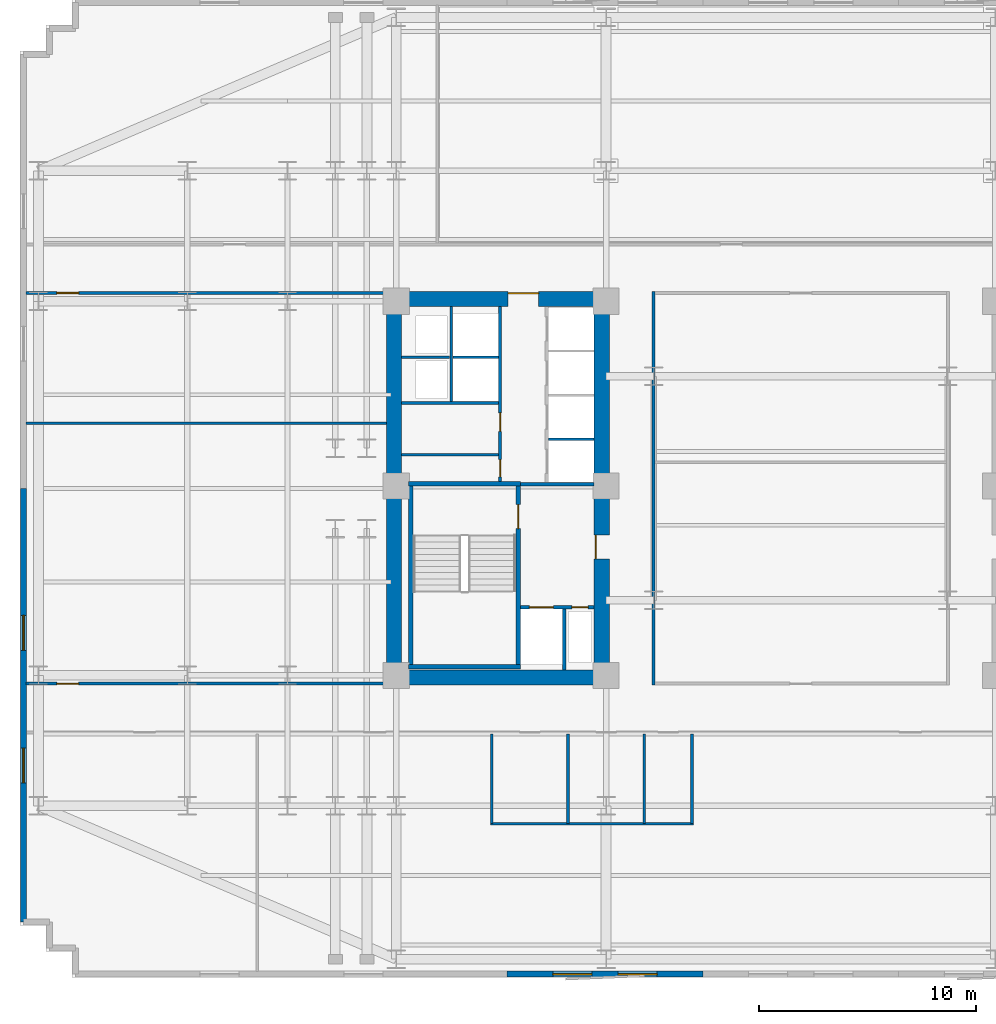
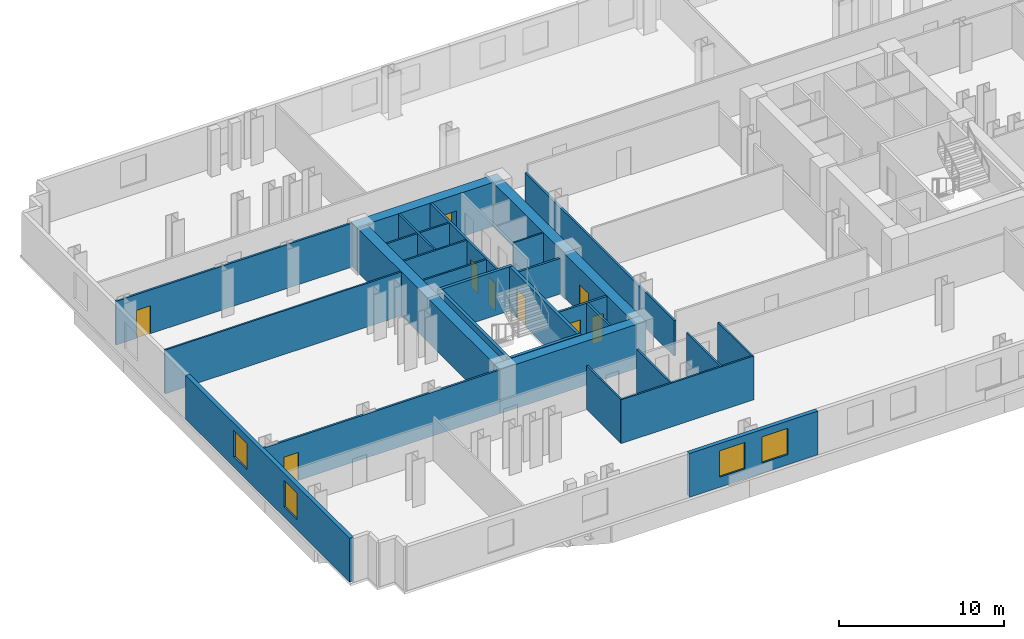
# One storey, part 4 of 10: 29 walls, 9 doors, 4 windows, 13 openings.
"""IFC4 building model written with IfcOpenShell, lengths in metres."""

import ifcopenshell
import ifcopenshell.guid

model = None  # the IFC model being written
_history = None  # IfcOwnerHistory: only IFC2X3 demands one
_inside = {}  # id of a spatial element -> (the spatial element, [elements in it])
_under = {}  # id of a project, library or spatial element -> (it, [spatial elements below it])
_declared = {}  # id of a project -> (the project, [libraries it declares])
_typed = {}  # id of a type object -> (the type object, [elements of that type])
_made_of = {}  # id of a material, layer set ... -> (it, [elements and type objects made of it])


def new_model(schema):
    """Start an empty IFC model of exactly this schema.

    Asked for "IFC4X3", IfcOpenShell would pick the latest addendum, in which some entities
    have other attributes; the version numbers below select the first issue.
    IFC2X3 requires an IfcOwnerHistory on every rooted entity: one is made here for all.
    """
    global model, _history
    if schema == "IFC4X3":
        model = ifcopenshell.file(schema_version=(4, 3, 0, 0))
    else:
        model = ifcopenshell.file(schema=schema)
    _inside.clear()
    _under.clear()
    _declared.clear()
    _typed.clear()
    _made_of.clear()
    _history = None
    if model.schema == "IFC2X3":
        org = make("IfcOrganization", Name="unknown")
        user = make(
            "IfcPersonAndOrganization",
            ThePerson=make("IfcPerson", FamilyName="unknown"),
            TheOrganization=org,
        )
        app = make(
            "IfcApplication",
            ApplicationDeveloper=org,
            Version="unknown",
            ApplicationFullName="unknown",
            ApplicationIdentifier="unknown",
        )
        _history = make(
            "IfcOwnerHistory",
            OwningUser=user,
            OwningApplication=app,
            ChangeAction="ADDED",
            CreationDate=0,
        )
    return model


def make(cls, **values):
    """One entity of the class cls with the attributes given. An attribute that is None is left unset."""
    return model.create_entity(
        cls, **{name: value for name, value in values.items() if value is not None}
    )


def rooted(cls, **values):
    """An entity with a GlobalId (a new one), such as an element, a storey or a relation."""
    return make(cls, GlobalId=ifcopenshell.guid.new(), OwnerHistory=_history, **values)


def si_unit(unit_type, name, prefix=None):
    """IfcSIUnit, for example si_unit("LENGTHUNIT", "METRE", prefix="MILLI")."""
    return make("IfcSIUnit", UnitType=unit_type, Prefix=prefix, Name=name)


def assignment(units):
    """IfcUnitAssignment: the units of a project."""
    return None if units is None else make("IfcUnitAssignment", Units=units)


def point(xyz):
    """IfcCartesianPoint."""
    return None if xyz is None else make("IfcCartesianPoint", Coordinates=xyz)


def direction(xyz):
    """IfcDirection."""
    return None if xyz is None else make("IfcDirection", DirectionRatios=xyz)


def frame(location, z_axis=None, x_axis=None):
    """IfcAxis2Placement3D, a coordinate frame: its origin and axes. An axis left out is left unset."""
    return make(
        "IfcAxis2Placement3D",
        Location=point(location),
        Axis=direction(z_axis),
        RefDirection=direction(x_axis),
    )


def frame_2d(location, x_axis=None):
    """IfcAxis2Placement2D, a coordinate frame in the plane: its origin and x axis."""
    return make(
        "IfcAxis2Placement2D", Location=point(location), RefDirection=direction(x_axis)
    )


def origin():
    """The frame at (0, 0, 0) with its axes left unset."""
    return frame((0.0, 0.0, 0.0))


def place(relative_to, where):
    """IfcLocalPlacement: puts the frame where relative to a parent placement (None: the world)."""
    return make(
        "IfcLocalPlacement", PlacementRelTo=relative_to, RelativePlacement=where
    )


def context(
    kind, dimensions, precision=None, world=None, true_north=None, identifier=None
):
    """IfcGeometricRepresentationContext, for example the 3D "Model" context."""
    return make(
        "IfcGeometricRepresentationContext",
        ContextIdentifier=identifier,
        ContextType=kind,
        CoordinateSpaceDimension=dimensions,
        Precision=precision,
        WorldCoordinateSystem=world,
        TrueNorth=true_north,
    )


def subcontext(parent, identifier, kind, view, scale=None):
    """IfcGeometricRepresentationSubContext, for example "Body" below "Model"."""
    return make(
        "IfcGeometricRepresentationSubContext",
        ContextIdentifier=identifier,
        ContextType=kind,
        ParentContext=parent,
        TargetScale=scale,
        TargetView=view,
    )


def project(units=None, contexts=None):
    """IfcProject with its units and contexts."""
    return rooted(
        "IfcProject",
        Name="project",
        RepresentationContexts=contexts,
        UnitsInContext=assignment(units),
    )


def spatial(cls, under=None, at=None, **own):
    """A site, building, storey or space (cls), placed at a placement, below another one or the project."""
    s = rooted(cls, ObjectPlacement=at, **own)
    if under is not None:
        _under.setdefault(under.id(), (under, []))[1].append(s)
    return s


def profile(cls, at=None, kind="AREA", **sizes):
    """A parametric profile (cls). Its sizes go by their IFC names, for example OverallWidth=200.0."""
    return make(cls, ProfileType=kind, Position=at, **sizes)


def rectangle(**sizes):
    """IfcRectangleProfileDef."""
    return profile("IfcRectangleProfileDef", **sizes)


def extrude(swept, where, along, depth):
    """IfcExtrudedAreaSolid: the profile swept, set in the frame where, extruded along a direction by depth."""
    return make(
        "IfcExtrudedAreaSolid",
        SweptArea=swept,
        Position=where,
        ExtrudedDirection=direction(along),
        Depth=depth,
    )


def shape(context_of_items, identifier, shape_type, items):
    """IfcShapeRepresentation: the items that make up one representation, for example the "Body"."""
    return make(
        "IfcShapeRepresentation",
        ContextOfItems=context_of_items,
        RepresentationIdentifier=identifier,
        RepresentationType=shape_type,
        Items=items,
    )


def material(Name=None, Category=None):
    """IfcMaterial."""
    return make("IfcMaterial", Name=Name, Category=Category)


def layer(
    of_material, thickness, ventilated=None, Name=None, Category=None, Priority=None
):
    """IfcMaterialLayer: one layer of a wall or slab, of a material (None: an air gap)."""
    return make(
        "IfcMaterialLayer",
        Material=of_material,
        LayerThickness=thickness,
        IsVentilated=ventilated,
        Name=Name,
        Category=Category,
        Priority=Priority,
    )


def layer_set(layers, Name=None):
    """IfcMaterialLayerSet."""
    return make("IfcMaterialLayerSet", MaterialLayers=layers, LayerSetName=Name)


def made_of(thing, what):
    """Note that an element or type object is made of a material, layer set ...; save() writes the relation."""
    if what is not None:
        _made_of.setdefault(what.id(), (what, []))[1].append(thing)
    return thing


def type_object(cls, material=None, **own):
    """A type object (cls), such as IfcWallType, which elements share."""
    return made_of(rooted(cls, **own), material)


def element(
    cls,
    number,
    at=None,
    inside=None,
    cuts=None,
    type_object=None,
    material=None,
    context=None,
    identifier="Body",
    shape_type=None,
    held_by="IfcProductDefinitionShape",
    body=None,
    shapes=None,
    **own,
):
    """One element of the class cls, such as IfcWall. Its Tag is "e" and its number.

    at: its placement. inside: the storey or other place that contains it. cuts: it is an
    opening in that element (IfcRelVoidsElement). A single representation is given by context,
    identifier, shape_type and body (its items); several are given by shapes. held_by: the class
    of the entity that holds the representations. save() writes the other relations.
    """
    e = rooted(cls, Tag="e%d" % number, ObjectPlacement=at, **own)
    if body is not None:
        shapes = [shape(context, identifier, shape_type, body)]
    if shapes is not None:
        e.Representation = make(held_by, Representations=shapes)
    if inside is not None:
        _inside.setdefault(inside.id(), (inside, []))[1].append(e)
    if cuts is not None:
        rooted(
            "IfcRelVoidsElement", RelatingBuildingElement=cuts, RelatedOpeningElement=e
        )
    if type_object is not None:
        _typed.setdefault(type_object.id(), (type_object, []))[1].append(e)
    return made_of(e, material)


def fill(opening, filler):
    """IfcRelFillsElement: the door or window that sits in an opening."""
    return rooted(
        "IfcRelFillsElement",
        RelatingOpeningElement=opening,
        RelatedBuildingElement=filler,
    )


def aggregate(whole, parts):
    """IfcRelAggregates: a whole, such as a stair, and the parts it consists of."""
    return rooted("IfcRelAggregates", RelatingObject=whole, RelatedObjects=parts)


def save(model, path):
    """Write the relations noted so far, then the file.

    IfcRelAggregates (storeys below a building ...), IfcRelContainedInSpatialStructure (elements
    in a storey), IfcRelDefinesByType, IfcRelAssociatesMaterial and IfcRelDeclares: one each for
    every whole, place, type object, material and project.
    """
    for whole, parts in _under.values():
        aggregate(whole, parts)
    for where, things in _inside.values():
        rooted(
            "IfcRelContainedInSpatialStructure",
            RelatedElements=things,
            RelatingStructure=where,
        )
    for kind, things in _typed.values():
        rooted("IfcRelDefinesByType", RelatedObjects=things, RelatingType=kind)
    for what, things in _made_of.values():
        rooted("IfcRelAssociatesMaterial", RelatedObjects=things, RelatingMaterial=what)
    for by, libraries in _declared.values():
        rooted("IfcRelDeclares", RelatingContext=by, RelatedDefinitions=libraries)
    model.write(path)


model = new_model("IFC4")

# Units and contexts
model_context = context("Model", 3, precision=1e-05, world=origin(), true_north=direction((0.0, 1.0)))
body_context = subcontext(model_context, "Body", "Model", "MODEL_VIEW")
ifc_project = project(units=[si_unit("LENGTHUNIT", "METRE"), si_unit("AREAUNIT", "SQUARE_METRE"), si_unit("VOLUMEUNIT", "CUBIC_METRE"), si_unit("PLANEANGLEUNIT", "RADIAN"), si_unit("MASSUNIT", "GRAM", prefix="KILO")], contexts=[model_context])

# Site, building, storey
site_placement = place(None, origin())
site = spatial("IfcSite", under=ifc_project, at=site_placement, CompositionType="ELEMENT")
building_placement = place(site_placement, origin())
building = spatial("IfcBuilding", under=site, at=building_placement, Name="Velakula Bourse", CompositionType="ELEMENT")
storey_placement = place(building_placement, frame((0.0, 0.0, 31.199951171875)))
storey = spatial("IfcBuildingStorey", under=building, at=storey_placement, Name="L07", CompositionType="ELEMENT", Elevation=31.199951171875)

# Wall, opening, door
ifc_material_1 = material(Name="Concrete M50 (fck 50 MPa)", Category="concrete")
ifc_layer_1 = layer(ifc_material_1, 0.2099609375, Name="Concrete M50 (fck 50 MPa)", Category="concrete")
ifc_layer_set_1 = layer_set([ifc_layer_1], Name="Concrete M50 (fck 50 MPa)")
wall_type_1 = type_object("IfcWallType", Name="WL-CORE-210", PredefinedType="SHEAR", material=ifc_layer_set_1)
wall_1_placement = place(storey_placement, frame((-12.9951171875, -8.10009765625, 0.0), z_axis=(0.0, 0.0, 1.0), x_axis=(0.0, 1.0, 0.0)))
wall_1 = element("IfcWall", 1, at=wall_1_placement, inside=storey, type_object=wall_type_1, Name="L07 Core W Stairwell Shear Wall IN", PredefinedType="SHEAR", context=body_context, shape_type="SweptSolid", body=[
    extrude(rectangle(XDim=8.2001953125, YDim=0.2099609375, at=frame_2d((4.10009765625, 0.0))), origin(), (0.0, 0.0, 1.0), 3.27001953125),
])
opening_1_placement = place(wall_1_placement, frame((6.25, 0.0, 0.0)))
opening_1 = element("IfcOpeningElement", 2, at=opening_1_placement, cuts=wall_1, Name="Opening D-STW1", PredefinedType="OPENING", context=body_context, shape_type="SweptSolid", body=[
    extrude(rectangle(XDim=1.10009765625, YDim=2.14990234375, at=frame_2d((0.550048828125, 1.074951171875))), frame((0.0, 0.114990234375, 0.0), z_axis=(0.0, -1.0, 0.0), x_axis=(1.0, 0.0, 0.0)), (0.0, 0.0, 1.0), 0.22998046875),
])
ifc_material_2 = material(Name="Galvanised painted hollow steel fire door", Category="steel")
door_type_1 = type_object("IfcDoorType", Name="DR-FD120-1100x2150", OperationType="NOTDEFINED", PredefinedType="DOOR", material=ifc_material_2)
door_1_placement = place(opening_1_placement, origin())
door_1 = element("IfcDoor", 3, at=door_1_placement, inside=storey, type_object=door_type_1, Name="L07 Stair ST-W1 Fire Door", OperationType="SINGLE_SWING_LEFT", OverallHeight=2.14990234375, OverallWidth=1.10009765625, PredefinedType="DOOR", context=body_context, shape_type="SweptSolid", body=[
    extrude(rectangle(XDim=1.10009765625, YDim=2.14990234375, at=frame_2d((0.550048828125, 1.074951171875))), frame((0.0, 0.02490234375, 0.0), z_axis=(0.0, -1.0, 0.0), x_axis=(1.0, 0.0, 0.0)), (0.0, 0.0, 1.0), 0.050048828125),
])
fill(opening_1, door_1)

# Walls
wall_2_placement = place(storey_placement, frame((-17.925048828125, -8.10009765625, 0.0), z_axis=(0.0, 0.0, 1.0), x_axis=(0.0, 1.0, 0.0)))
element("IfcWall", 4, at=wall_2_placement, inside=storey, type_object=wall_type_1, Name="L07 Core W Stairwell Shear Wall OUT", PredefinedType="SHEAR", context=body_context, shape_type="SweptSolid", body=[
    extrude(rectangle(XDim=8.2001953125, YDim=0.2099609375, at=frame_2d((4.10009765625, 0.0))), origin(), (0.0, 0.0, 1.0), 3.27001953125),
])
for number, where, z_axis, x_axis, name in (
    (5, (-18.030029296875, -8.205078125, 0.0), (0.0, 0.0, 1.0), (1.0, 0.0, 0.0), "L07 Core W Stairwell Shear Wall S"),
    (6, (-12.889892578125, 0.205078125, 0.0), (0.0, 0.0, 1.0), (-1.0, 0.0, 0.0), "L07 Core W Stairwell Shear Wall N"),
):
    element("IfcWall", number, at=place(storey_placement, frame(where, z_axis=z_axis, x_axis=x_axis)), inside=storey, type_object=wall_type_1, Name=name, PredefinedType="SHEAR", context=body_context, shape_type="SweptSolid", body=[
        extrude(rectangle(XDim=5.14013671875, YDim=0.2099609375, at=frame_2d((2.570068359375, 0.0))), origin(), (0.0, 0.0, 1.0), 3.27001953125),
    ])
ifc_material_3 = material(Name="Concrete M70 (fck 70 MPa)", Category="concrete")
ifc_layer_2 = layer(ifc_material_3, 0.699951171875, Name="Concrete M70 (fck 70 MPa)", Category="concrete")
ifc_layer_set_2 = layer_set([ifc_layer_2], Name="Concrete M70 (fck 70 MPa)")
wall_type_2 = type_object("IfcWallType", Name="WL-CORE-700", PredefinedType="SHEAR", material=ifc_layer_set_2)
wall_3_placement = place(storey_placement, frame((-19.050048828125, -8.699951171875, 0.0), z_axis=(0.0, 0.0, 1.0), x_axis=(1.0, 0.0, 0.0)))
element("IfcWall", 7, at=wall_3_placement, inside=storey, type_object=wall_type_2, Name="L07 Core W Shear Wall S", PredefinedType="SHEAR", context=body_context, shape_type="SweptSolid", body=[
    extrude(rectangle(XDim=10.25, YDim=0.699951171875, at=frame_2d((5.125, 0.0))), origin(), (0.0, 0.0, 1.0), 3.27001953125),
])

# Wall, opening, door
wall_4_placement = place(storey_placement, frame((-19.050048828125, 8.699951171875, 0.0), z_axis=(0.0, 0.0, 1.0), x_axis=(1.0, 0.0, 0.0)))
wall_4 = element("IfcWall", 8, at=wall_4_placement, inside=storey, type_object=wall_type_2, Name="L07 Core W Shear Wall N", PredefinedType="SHEAR", context=body_context, shape_type="SweptSolid", body=[
    extrude(rectangle(XDim=10.25, YDim=0.699951171875, at=frame_2d((5.125, 0.0))), origin(), (0.0, 0.0, 1.0), 3.27001953125),
])
opening_2_placement = place(wall_4_placement, frame((5.60009765625, 0.0, 0.0)))
opening_2 = element("IfcOpeningElement", 9, at=opening_2_placement, cuts=wall_4, Name="Opening D-LLW", PredefinedType="OPENING", context=body_context, shape_type="SweptSolid", body=[
    extrude(rectangle(XDim=1.39990234375, YDim=2.050048828125, at=frame_2d((0.699951171875, 1.02490234375))), frame((0.0, 0.35986328125, 0.0), z_axis=(0.0, -1.0, 0.0), x_axis=(1.0, 0.0, 0.0)), (0.0, 0.0, 1.0), 0.719970703125),
])
ifc_material_4 = material(Name="Fire-rated hardwood flush architectural door", Category="wood")
door_type_2 = type_object("IfcDoorType", Name="DR-DBL-FD60-1400", OperationType="DOUBLE_DOOR_SINGLE_SWING", PredefinedType="DOOR", material=ifc_material_4)
door_2_placement = place(opening_2_placement, origin())
door_2 = element("IfcDoor", 10, at=door_2_placement, inside=storey, type_object=door_type_2, Name="L07 Core W Lift Lobby Corridor Double Door", OperationType="DOUBLE_DOOR_SINGLE_SWING", OverallHeight=2.050048828125, OverallWidth=1.39990234375, PredefinedType="DOOR", context=body_context, shape_type="SweptSolid", body=[
    extrude(rectangle(XDim=1.39990234375, YDim=2.050048828125, at=frame_2d((0.699951171875, 1.02490234375))), frame((0.0, 0.294921875, 0.0), z_axis=(0.0, -1.0, 0.0), x_axis=(1.0, 0.0, 0.0)), (0.0, 0.0, 1.0), 0.050048828125),
])
fill(opening_2, door_2)

# Wall
wall_5_placement = place(storey_placement, frame((-18.699951171875, -8.35009765625, 0.0), z_axis=(0.0, 0.0, 1.0), x_axis=(0.0, 1.0, 0.0)))
element("IfcWall", 11, at=wall_5_placement, inside=storey, type_object=wall_type_2, Name="L07 Core W Shear Wall W", PredefinedType="SHEAR", context=body_context, shape_type="SweptSolid", body=[
    extrude(rectangle(XDim=16.7001953125, YDim=0.699951171875, at=frame_2d((8.35009765625, 0.0))), origin(), (0.0, 0.0, 1.0), 3.27001953125),
])

# Wall, opening, door
wall_6_placement = place(storey_placement, frame((-9.14990234375, -8.35009765625, 0.0), z_axis=(0.0, 0.0, 1.0), x_axis=(0.0, 1.0, 0.0)))
wall_6 = element("IfcWall", 12, at=wall_6_placement, inside=storey, type_object=wall_type_2, Name="L07 Core W Shear Wall E", PredefinedType="SHEAR", context=body_context, shape_type="SweptSolid", body=[
    extrude(rectangle(XDim=16.7001953125, YDim=0.699951171875, at=frame_2d((8.35009765625, 0.0))), origin(), (0.0, 0.0, 1.0), 3.27001953125),
])
opening_3_placement = place(wall_6_placement, frame((5.10009765625, 0.0, 0.0)))
opening_3 = element("IfcOpeningElement", 13, at=opening_3_placement, cuts=wall_6, Name="Opening D-FLW", PredefinedType="OPENING", context=body_context, shape_type="SweptSolid", body=[
    extrude(rectangle(XDim=1.10009765625, YDim=2.080078125, at=frame_2d((0.550048828125, 1.0400390625))), frame((0.0, 0.35986328125, 0.0), z_axis=(0.0, -1.0, 0.0), x_axis=(1.0, 0.0, 0.0)), (0.0, 0.0, 1.0), 0.719970703125),
])
door_type_3 = type_object("IfcDoorType", Name="DR-FD120-1100", OperationType="NOTDEFINED", PredefinedType="DOOR", material=ifc_material_2)
door_3_placement = place(opening_3_placement, origin())
door_3 = element("IfcDoor", 14, at=door_3_placement, inside=storey, type_object=door_type_3, Name="L07 Firefighting Lobby W Corridor Fire Door", OperationType="SINGLE_SWING_LEFT", OverallHeight=2.080078125, OverallWidth=1.10009765625, PredefinedType="DOOR", context=body_context, shape_type="SweptSolid", body=[
    extrude(rectangle(XDim=1.10009765625, YDim=2.080078125, at=frame_2d((0.550048828125, 1.0400390625))), frame((0.0, 0.30517578125, 0.0), z_axis=(0.0, -1.0, 0.0), x_axis=(1.0, 0.0, 0.0)), (0.0, 0.0, 1.0), 0.050048828125),
])
fill(opening_3, door_3)

# Wall, openings, windows
ifc_material_5 = material(Name="Red kilned clay facing brick masonry", Category="masonry")
ifc_layer_3 = layer(ifc_material_5, 0.280029296875, Name="Red kilned clay facing brick masonry", Category="masonry")
ifc_layer_set_3 = layer_set([ifc_layer_3], Name="Red kilned clay facing brick masonry")
wall_type_3 = type_object("IfcWallType", Name="WL-EXT-BRK-280", PredefinedType="STANDARD", material=ifc_layer_set_3)
wall_7_placement = place(storey_placement, frame((-4.5, -22.340087890625, 0.0), z_axis=(0.0, 0.0, 1.0), x_axis=(-1.0, 0.0, 0.0)))
wall_7 = element("IfcWall", 15, at=wall_7_placement, inside=storey, type_object=wall_type_3, Name="L07 S Brick Spandrel Wall B2", PredefinedType="STANDARD", context=body_context, shape_type="SweptSolid", body=[
    extrude(rectangle(XDim=9.0, YDim=0.280029296875, at=frame_2d((4.5, 0.0))), origin(), (0.0, 0.0, 1.0), 3.25),
])
opening_4_placement = place(wall_7_placement, frame((2.10009765625, 0.0, 0.760009765625)))
opening_4 = element("IfcOpeningElement", 16, at=opening_4_placement, cuts=wall_7, Name="Opening W-01", PredefinedType="OPENING", context=body_context, shape_type="SweptSolid", body=[
    extrude(rectangle(XDim=1.800048828125, YDim=1.949951171875, at=frame_2d((0.89990234375, 0.97509765625))), frame((0.0, 0.14990234375, 0.0), z_axis=(0.0, -1.0, 0.0), x_axis=(1.0, 0.0, 0.0)), (0.0, 0.0, 1.0), 0.300048828125),
])
opening_5_placement = place(wall_7_placement, frame((5.10009765625, 0.0, 0.760009765625)))
opening_5 = element("IfcOpeningElement", 17, at=opening_5_placement, cuts=wall_7, Name="Opening W-01", PredefinedType="OPENING", context=body_context, shape_type="SweptSolid", body=[
    extrude(rectangle(XDim=1.800048828125, YDim=1.949951171875, at=frame_2d((0.89990234375, 0.97509765625))), frame((0.0, 0.14990234375, 0.0), z_axis=(0.0, -1.0, 0.0), x_axis=(1.0, 0.0, 0.0)), (0.0, 0.0, 1.0), 0.300048828125),
])
ifc_material_6 = material(Name="Double-glazed solar-control Low-E glass", Category="glass")
window_type_1 = type_object("IfcWindowType", Name="WIN-TWR-1800x2100", PartitioningType="SINGLE_PANEL", PredefinedType="WINDOW", material=ifc_material_6)
window_1_placement = place(opening_4_placement, origin())
window_1 = element("IfcWindow", 18, at=window_1_placement, inside=storey, type_object=window_type_1, Name="L07 Deep-Set Recessed Window 1", OverallHeight=1.949951171875, OverallWidth=1.800048828125, PartitioningType="SINGLE_PANEL", PredefinedType="WINDOW", context=body_context, shape_type="SweptSolid", body=[
    extrude(rectangle(XDim=1.800048828125, YDim=1.949951171875, at=frame_2d((0.89990234375, 0.97509765625))), frame((0.0, 0.030029296875, 0.0), z_axis=(0.0, -1.0, 0.0), x_axis=(1.0, 0.0, 0.0)), (0.0, 0.0, 1.0), 0.06005859375),
])
fill(opening_4, window_1)
window_2_placement = place(opening_5_placement, origin())
window_2 = element("IfcWindow", 19, at=window_2_placement, inside=storey, type_object=window_type_1, Name="L07 Deep-Set Recessed Window 2", OverallHeight=1.949951171875, OverallWidth=1.800048828125, PartitioningType="SINGLE_PANEL", PredefinedType="WINDOW", context=body_context, shape_type="SweptSolid", body=[
    extrude(rectangle(XDim=1.800048828125, YDim=1.949951171875, at=frame_2d((0.89990234375, 0.97509765625))), frame((0.0, 0.030029296875, 0.0), z_axis=(0.0, -1.0, 0.0), x_axis=(1.0, 0.0, 0.0)), (0.0, 0.0, 1.0), 0.06005859375),
])
fill(opening_5, window_2)

wall_8_placement = place(storey_placement, frame((-35.739990234375, -19.93994140625, 0.0), z_axis=(0.0, 0.0, 1.0), x_axis=(0.0, 1.0, 0.0)))
wall_8 = element("IfcWall", 20, at=wall_8_placement, inside=storey, type_object=wall_type_3, Name="L07 W Brick End Wall W1", PredefinedType="STANDARD", context=body_context, shape_type="SweptSolid", body=[
    extrude(rectangle(XDim=19.93994140625, YDim=0.280029296875, at=frame_2d((9.969970703125, 0.0))), origin(), (0.0, 0.0, 1.0), 3.25),
])
opening_6_placement = place(wall_8_placement, frame((6.396728515625, 0.0, 0.760009765625)))
opening_6 = element("IfcOpeningElement", 21, at=opening_6_placement, cuts=wall_8, Name="Opening W-02", PredefinedType="OPENING", context=body_context, shape_type="SweptSolid", body=[
    extrude(rectangle(XDim=1.60009765625, YDim=1.949951171875, at=frame_2d((0.800048828125, 0.97509765625))), frame((0.0, 0.14990234375, 0.0), z_axis=(0.0, -1.0, 0.0), x_axis=(1.0, 0.0, 0.0)), (0.0, 0.0, 1.0), 0.300048828125),
])
opening_7_placement = place(wall_8_placement, frame((12.493408203125, 0.0, 0.760009765625)))
opening_7 = element("IfcOpeningElement", 22, at=opening_7_placement, cuts=wall_8, Name="Opening W-02", PredefinedType="OPENING", context=body_context, shape_type="SweptSolid", body=[
    extrude(rectangle(XDim=1.60009765625, YDim=1.949951171875, at=frame_2d((0.800048828125, 0.97509765625))), frame((0.0, 0.14990234375, 0.0), z_axis=(0.0, -1.0, 0.0), x_axis=(1.0, 0.0, 0.0)), (0.0, 0.0, 1.0), 0.300048828125),
])
window_type_2 = type_object("IfcWindowType", Name="WIN-TWR-1600x2100", PartitioningType="SINGLE_PANEL", PredefinedType="WINDOW", material=ifc_material_6)
window_3_placement = place(opening_6_placement, origin())
window_3 = element("IfcWindow", 23, at=window_3_placement, inside=storey, type_object=window_type_2, Name="L07 Deep-Set Recessed Window 1", OverallHeight=1.949951171875, OverallWidth=1.60009765625, PartitioningType="SINGLE_PANEL", PredefinedType="WINDOW", context=body_context, shape_type="SweptSolid", body=[
    extrude(rectangle(XDim=1.60009765625, YDim=1.949951171875, at=frame_2d((0.800048828125, 0.97509765625))), frame((0.0, 0.030029296875, 0.0), z_axis=(0.0, -1.0, 0.0), x_axis=(1.0, 0.0, 0.0)), (0.0, 0.0, 1.0), 0.06005859375),
])
fill(opening_6, window_3)
window_4_placement = place(opening_7_placement, origin())
window_4 = element("IfcWindow", 24, at=window_4_placement, inside=storey, type_object=window_type_2, Name="L07 Deep-Set Recessed Window 2", OverallHeight=1.949951171875, OverallWidth=1.60009765625, PartitioningType="SINGLE_PANEL", PredefinedType="WINDOW", context=body_context, shape_type="SweptSolid", body=[
    extrude(rectangle(XDim=1.60009765625, YDim=1.949951171875, at=frame_2d((0.800048828125, 0.97509765625))), frame((0.0, 0.030029296875, 0.0), z_axis=(0.0, -1.0, 0.0), x_axis=(1.0, 0.0, 0.0)), (0.0, 0.0, 1.0), 0.06005859375),
])
fill(opening_7, window_4)

# Walls
ifc_material_7 = material(Name="Fire-rated double-layer gypsum drywall partition", Category="gypsum")
ifc_layer_4 = layer(ifc_material_7, 0.1201171875, Name="Fire-rated double-layer gypsum drywall partition", Category="gypsum")
ifc_layer_set_4 = layer_set([ifc_layer_4], Name="Fire-rated double-layer gypsum drywall partition")
wall_type_4 = type_object("IfcWallType", Name="WL-PART-120", PredefinedType="STANDARD", material=ifc_layer_set_4)
wall_9_placement = place(storey_placement, frame((-11.60009765625, 2.2548828125, 0.0), z_axis=(0.0, 0.0, 1.0), x_axis=(1.0, 0.0, 0.0)))
element("IfcWall", 25, at=wall_9_placement, inside=storey, type_object=wall_type_4, Name="L07 Interior Partition WL-CRW-L07-BDIV-0", PredefinedType="STANDARD", context=body_context, shape_type="SweptSolid", body=[
    extrude(rectangle(XDim=2.10009765625, YDim=0.110107421875, at=frame_2d((1.050048828125, 0.0))), origin(), (0.0, 0.0, 1.0), 3.25),
])
wall_10_placement = place(storey_placement, frame((-18.35009765625, 3.919921875, 0.0), z_axis=(0.0, 0.0, 1.0), x_axis=(1.0, 0.0, 0.0)))
element("IfcWall", 26, at=wall_10_placement, inside=storey, type_object=wall_type_4, Name="L07 Interior Partition WL-CRW-L07-HI-S", PredefinedType="STANDARD", context=body_context, shape_type="SweptSolid", body=[
    extrude(rectangle(XDim=4.4501953125, YDim=0.1201171875, at=frame_2d((2.22509765625, 0.0))), origin(), (0.0, 0.0, 1.0), 3.25),
])
wall_11_placement = place(storey_placement, frame((-18.35009765625, 6.030029296875, 0.0), z_axis=(0.0, 0.0, 1.0), x_axis=(1.0, 0.0, 0.0)))
element("IfcWall", 27, at=wall_11_placement, inside=storey, type_object=wall_type_4, Name="L07 Interior Partition WL-CRW-L07-RIS-MID", PredefinedType="STANDARD", context=body_context, shape_type="SweptSolid", body=[
    extrude(rectangle(XDim=2.2001953125, YDim=0.1201171875, at=frame_2d((1.10009765625, 0.0))), origin(), (0.0, 0.0, 1.0), 3.25),
])
wall_12_placement = place(storey_placement, frame((-16.074951171875, 3.97998046875, 0.0), z_axis=(0.0, 0.0, 1.0), x_axis=(0.0, 1.0, 0.0)))
element("IfcWall", 28, at=wall_12_placement, inside=storey, type_object=wall_type_4, Name="L07 Interior Partition WL-CRW-L07-RIS-F", PredefinedType="STANDARD", context=body_context, shape_type="SweptSolid", body=[
    extrude(rectangle(XDim=4.3701171875, YDim=0.1201171875, at=frame_2d((2.18505859375, 0.0))), origin(), (0.0, 0.0, 1.0), 3.25),
])
wall_13_placement = place(storey_placement, frame((-16.0, 6.030029296875, 0.0), z_axis=(0.0, 0.0, 1.0), x_axis=(1.0, 0.0, 0.0)))
element("IfcWall", 29, at=wall_13_placement, inside=storey, type_object=wall_type_4, Name="L07 Interior Partition WL-CRW-L07-HI-DIV", PredefinedType="STANDARD", context=body_context, shape_type="SweptSolid", body=[
    extrude(rectangle(XDim=2.10009765625, YDim=0.1201171875, at=frame_2d((1.050048828125, 0.0))), origin(), (0.0, 0.0, 1.0), 3.25),
])
wall_14_placement = place(storey_placement, frame((-18.35009765625, 1.550048828125, 0.0), z_axis=(0.0, 0.0, 1.0), x_axis=(1.0, 0.0, 0.0)))
element("IfcWall", 30, at=wall_14_placement, inside=storey, type_object=wall_type_4, Name="L07 Interior Partition WL-CRW-L07-K1", PredefinedType="STANDARD", context=body_context, shape_type="SweptSolid", body=[
    extrude(rectangle(XDim=4.4501953125, YDim=0.1201171875, at=frame_2d((2.22509765625, 0.0))), origin(), (0.0, 0.0, 1.0), 3.25),
])
wall_15_placement = place(storey_placement, frame((-14.260009765625, -15.419921875, 0.0), z_axis=(0.0, 0.0, 1.0), x_axis=(1.0, 0.0, 0.0)))
element("IfcWall", 31, at=wall_15_placement, inside=storey, type_object=wall_type_4, Name="L07 Interior Partition WL-WC-L07-BACK", PredefinedType="STANDARD", context=body_context, shape_type="SweptSolid", body=[
    extrude(rectangle(XDim=9.320068359375, YDim=0.1201171875, at=frame_2d((4.66015625, 0.0))), origin(), (0.0, 0.0, 1.0), 3.25),
])
for number, where, z_axis, x_axis, name in (
    (32, (-14.199951171875, -15.419921875, 0.0), (0.0, 0.0, 1.0), (0.0, 1.0, 0.0), "L07 Interior Partition WL-WC-L07-V1"),
    (33, (-10.699951171875, -15.419921875, 0.0), (0.0, 0.0, 1.0), (0.0, 1.0, 0.0), "L07 Interior Partition WL-WC-L07-V2"),
    (34, (-7.199951171875, -15.419921875, 0.0), (0.0, 0.0, 1.0), (0.0, 1.0, 0.0), "L07 Interior Partition WL-WC-L07-V3"),
    (35, (-5.0, -15.419921875, 0.0), (0.0, 0.0, 1.0), (0.0, 1.0, 0.0), "L07 Interior Partition WL-WC-L07-V4"),
):
    element("IfcWall", number, at=place(storey_placement, frame(where, z_axis=z_axis, x_axis=x_axis)), inside=storey, type_object=wall_type_4, Name=name, PredefinedType="STANDARD", context=body_context, shape_type="SweptSolid", body=[
        extrude(rectangle(XDim=4.1298828125, YDim=0.1201171875, at=frame_2d((2.06494140625, 0.0))), origin(), (0.0, 0.0, 1.0), 3.25),
    ])
wall_16_placement = place(storey_placement, frame((-35.6201171875, 3.0, 0.0), z_axis=(0.0, 0.0, 1.0), x_axis=(1.0, 0.0, 0.0)))
element("IfcWall", 36, at=wall_16_placement, inside=storey, type_object=wall_type_4, Name="L07 Interior Partition WL-INT-L07-W-H", PredefinedType="STANDARD", context=body_context, shape_type="SweptSolid", body=[
    extrude(rectangle(XDim=16.570068359375, YDim=0.1201171875, at=frame_2d((8.28515625, 0.0))), origin(), (0.0, 0.0, 1.0), 3.25),
])

# Wall, opening, door
ifc_layer_5 = layer(ifc_material_7, 0.139892578125, Name="Fire-rated double-layer gypsum drywall partition", Category="gypsum")
ifc_layer_set_5 = layer_set([ifc_layer_5], Name="Fire-rated double-layer gypsum drywall partition")
wall_type_5 = type_object("IfcWallType", Name="WL-PART-140", PredefinedType="STANDARD", material=ifc_layer_set_5)
wall_17_placement = place(storey_placement, frame((-35.6201171875, 8.97998046875, 0.0), z_axis=(0.0, 0.0, 1.0), x_axis=(1.0, 0.0, 0.0)))
wall_17 = element("IfcWall", 37, at=wall_17_placement, inside=storey, type_object=wall_type_5, Name="L07 Interior Partition WL-INT-L07-W-NC", PredefinedType="STANDARD", context=body_context, shape_type="SweptSolid", body=[
    extrude(rectangle(XDim=16.570068359375, YDim=0.139892578125, at=frame_2d((8.28515625, 0.0))), origin(), (0.0, 0.0, 1.0), 3.25),
])
opening_8_placement = place(wall_17_placement, frame((1.417724609375, 0.0, 0.0)))
opening_8 = element("IfcOpeningElement", 38, at=opening_8_placement, cuts=wall_17, Name="Opening D-OF1", PredefinedType="OPENING", context=body_context, shape_type="SweptSolid", body=[
    extrude(rectangle(XDim=1.0, YDim=2.080078125, at=frame_2d((0.5, 1.0400390625))), frame((0.0, 0.079833984375, 0.0), z_axis=(0.0, -1.0, 0.0), x_axis=(1.0, 0.0, 0.0)), (0.0, 0.0, 1.0), 0.159912109375),
])
door_type_4 = type_object("IfcDoorType", Name="DR-OFF-1000", OperationType="NOTDEFINED", PredefinedType="DOOR", material=ifc_material_4)
door_4_placement = place(opening_8_placement, origin())
door_4 = element("IfcDoor", 39, at=door_4_placement, inside=storey, type_object=door_type_4, Name="L07 Legal Counsel Office Door", OperationType="SINGLE_SWING_LEFT", OverallHeight=2.080078125, OverallWidth=1.0, PredefinedType="DOOR", context=body_context, shape_type="SweptSolid", body=[
    extrude(rectangle(XDim=1.0, YDim=2.080078125, at=frame_2d((0.5, 1.0400390625))), frame((0.0, 0.02490234375, 0.0), z_axis=(0.0, -1.0, 0.0), x_axis=(1.0, 0.0, 0.0)), (0.0, 0.0, 1.0), 0.050048828125),
])
fill(opening_8, door_4)

wall_18_placement = place(storey_placement, frame((-35.6201171875, -8.97998046875, 0.0), z_axis=(0.0, 0.0, 1.0), x_axis=(1.0, 0.0, 0.0)))
wall_18 = element("IfcWall", 40, at=wall_18_placement, inside=storey, type_object=wall_type_5, Name="L07 Interior Partition WL-INT-L07-W-SC", PredefinedType="STANDARD", context=body_context, shape_type="SweptSolid", body=[
    extrude(rectangle(XDim=16.570068359375, YDim=0.139892578125, at=frame_2d((8.28515625, 0.0))), origin(), (0.0, 0.0, 1.0), 3.25),
])
opening_9_placement = place(wall_18_placement, frame((1.417724609375, 0.0, 0.0)))
opening_9 = element("IfcOpeningElement", 41, at=opening_9_placement, cuts=wall_18, Name="Opening D-OF1", PredefinedType="OPENING", context=body_context, shape_type="SweptSolid", body=[
    extrude(rectangle(XDim=1.0, YDim=2.080078125, at=frame_2d((0.5, 1.0400390625))), frame((0.0, 0.079833984375, 0.0), z_axis=(0.0, -1.0, 0.0), x_axis=(1.0, 0.0, 0.0)), (0.0, 0.0, 1.0), 0.159912109375),
])
door_5_placement = place(opening_9_placement, origin())
door_5 = element("IfcDoor", 42, at=door_5_placement, inside=storey, type_object=door_type_4, Name="L07 Quantitative Research Workspace Door", OperationType="SINGLE_SWING_RIGHT", OverallHeight=2.080078125, OverallWidth=1.0, PredefinedType="DOOR", context=body_context, shape_type="SweptSolid", body=[
    extrude(rectangle(XDim=1.0, YDim=2.080078125, at=frame_2d((0.5, 1.0400390625))), frame((0.0, 0.02490234375, 0.0), z_axis=(0.0, -1.0, 0.0), x_axis=(1.0, 0.0, 0.0)), (0.0, 0.0, 1.0), 0.050048828125),
])
fill(opening_9, door_5)

# Wall
wall_19_placement = place(storey_placement, frame((-6.780029296875, -9.050048828125, 0.0), z_axis=(0.0, 0.0, 1.0), x_axis=(0.0, 1.0, 0.0)))
element("IfcWall", 43, at=wall_19_placement, inside=storey, type_object=wall_type_5, Name="L07 Interior Partition WL-INT-L07-MID-W", PredefinedType="STANDARD", context=body_context, shape_type="SweptSolid", body=[
    extrude(rectangle(XDim=18.10009765625, YDim=0.139892578125, at=frame_2d((9.050048828125, 0.0))), origin(), (0.0, 0.0, 1.0), 2.64501953125),
])

# Wall, openings, doors
ifc_material_8 = material(Name="Autoclaved aerated concrete blockwork masonry", Category="masonry")
ifc_layer_6 = layer(ifc_material_8, 0.14990234375, Name="Autoclaved aerated concrete blockwork masonry", Category="masonry")
ifc_layer_set_6 = layer_set([ifc_layer_6], Name="Autoclaved aerated concrete blockwork masonry")
wall_type_6 = type_object("IfcWallType", Name="WL-SHAFT-150", PredefinedType="STANDARD", material=ifc_layer_set_6)
wall_20_placement = place(storey_placement, frame((-12.89501953125, -5.47509765625, 0.0), z_axis=(0.0, 0.0, 1.0), x_axis=(1.0, 0.0, 0.0)))
wall_20 = element("IfcWall", 44, at=wall_20_placement, inside=storey, type_object=wall_type_6, Name="L07 Interior Partition WL-CRW-L07-FFL-N", PredefinedType="STANDARD", context=body_context, shape_type="SweptSolid", body=[
    extrude(rectangle(XDim=3.39501953125, YDim=0.14990234375, at=frame_2d((1.697509765625, 0.0))), origin(), (0.0, 0.0, 1.0), 3.25),
])
opening_10_placement = place(wall_20_placement, frame((0.419921875, 0.0, 0.0)))
opening_10 = element("IfcOpeningElement", 45, at=opening_10_placement, cuts=wall_20, Name="Opening LD-FFL-1", PredefinedType="OPENING", context=body_context, shape_type="SweptSolid", body=[
    extrude(rectangle(XDim=1.10009765625, YDim=2.14990234375, at=frame_2d((0.550048828125, 1.074951171875))), frame((0.0, 0.0849609375, 0.0), z_axis=(0.0, -1.0, 0.0), x_axis=(1.0, 0.0, 0.0)), (0.0, 0.0, 1.0), 0.169921875),
])
opening_11_placement = place(wall_20_placement, frame((2.3701171875, 0.0, 0.0)))
opening_11 = element("IfcOpeningElement", 46, at=opening_11_placement, cuts=wall_20, Name="Opening D-RS1", PredefinedType="OPENING", context=body_context, shape_type="SweptSolid", body=[
    extrude(rectangle(XDim=0.75, YDim=2.050048828125, at=frame_2d((0.375, 1.02490234375))), frame((0.0, 0.0849609375, 0.0), z_axis=(0.0, -1.0, 0.0), x_axis=(1.0, 0.0, 0.0)), (0.0, 0.0, 1.0), 0.169921875),
])
door_type_5 = type_object("IfcDoorType", Name="DR-RISER-800", OperationType="NOTDEFINED", PredefinedType="DOOR", material=ifc_material_2)
door_6_placement = place(opening_11_placement, origin())
door_6 = element("IfcDoor", 47, at=door_6_placement, inside=storey, type_object=door_type_5, Name="L07 Fire Riser Access Door", OperationType="SINGLE_SWING_LEFT", OverallHeight=2.050048828125, OverallWidth=0.75, PredefinedType="DOOR", context=body_context, shape_type="SweptSolid", body=[
    extrude(rectangle(XDim=0.75, YDim=2.050048828125, at=frame_2d((0.375, 1.02490234375))), frame((0.0, 0.02490234375, 0.0), z_axis=(0.0, -1.0, 0.0), x_axis=(1.0, 0.0, 0.0)), (0.0, 0.0, 1.0), 0.050048828125),
])
fill(opening_11, door_6)
ifc_material_9 = material(Name="Brushed grade 316 stainless steel", Category="steel")
door_type_6 = type_object("IfcDoorType", Name="DR-SLIDE-FFL-1100", OperationType="DOUBLE_DOOR_SLIDING", PredefinedType="DOOR", material=ifc_material_9)
door_7_placement = place(opening_10_placement, origin())
door_7 = element("IfcDoor", 48, at=door_7_placement, inside=storey, type_object=door_type_6, Name="L07 Firefighting Lift FFL-1 Sliding Landing Door", OperationType="DOUBLE_DOOR_SLIDING", OverallHeight=2.14990234375, OverallWidth=1.10009765625, PredefinedType="DOOR", context=body_context, shape_type="SweptSolid", body=[
    extrude(rectangle(XDim=1.10009765625, YDim=2.14990234375, at=frame_2d((0.550048828125, 1.074951171875))), frame((0.0, 0.02490234375, 0.0), z_axis=(0.0, -1.0, 0.0), x_axis=(1.0, 0.0, 0.0)), (0.0, 0.0, 1.0), 0.050048828125),
])
fill(opening_10, door_7)

# Walls
wall_21_placement = place(storey_placement, frame((-10.875, -8.35009765625, 0.0), z_axis=(0.0, 0.0, 1.0), x_axis=(0.0, 1.0, 0.0)))
element("IfcWall", 49, at=wall_21_placement, inside=storey, type_object=wall_type_6, Name="L07 Interior Partition WL-CRW-L07-FR-DIV", PredefinedType="STANDARD", context=body_context, shape_type="SweptSolid", body=[
    extrude(rectangle(XDim=2.800048828125, YDim=0.14990234375, at=frame_2d((1.39990234375, 0.0))), origin(), (0.0, 0.0, 1.0), 3.25),
])
wall_22_placement = place(storey_placement, frame((-12.889892578125, 0.18994140625, 0.0), z_axis=(0.0, 0.0, 1.0), x_axis=(1.0, 0.0, 0.0)))
element("IfcWall", 50, at=wall_22_placement, inside=storey, type_object=wall_type_6, Name="L07 Interior Partition WL-CRW-L07-FF-TOP", PredefinedType="STANDARD", context=body_context, shape_type="SweptSolid", body=[
    extrude(rectangle(XDim=3.389892578125, YDim=0.14990234375, at=frame_2d((1.69482421875, 0.0))), origin(), (0.0, 0.0, 1.0), 2.64501953125),
])

# Wall, openings, doors
wall_23_placement = place(storey_placement, frame((-13.824951171875, 0.27001953125, 0.0), z_axis=(0.0, 0.0, 1.0), x_axis=(0.0, 1.0, 0.0)))
wall_23 = element("IfcWall", 51, at=wall_23_placement, inside=storey, type_object=wall_type_6, Name="L07 Interior Partition WL-CRW-L07-OUT-F", PredefinedType="STANDARD", context=body_context, shape_type="SweptSolid", body=[
    extrude(rectangle(XDim=8.080078125, YDim=0.14990234375, at=frame_2d((4.0400390625, 0.0))), origin(), (0.0, 0.0, 1.0), 3.25),
])
opening_12_placement = place(wall_23_placement, frame((0.25, 0.0, 0.0)))
opening_12 = element("IfcOpeningElement", 52, at=opening_12_placement, cuts=wall_23, Name="Opening D-CS1", PredefinedType="OPENING", context=body_context, shape_type="SweptSolid", body=[
    extrude(rectangle(XDim=0.800048828125, YDim=2.050048828125, at=frame_2d((0.39990234375, 1.02490234375))), frame((0.0, 0.0849609375, 0.0), z_axis=(0.0, -1.0, 0.0), x_axis=(1.0, 0.0, 0.0)), (0.0, 0.0, 1.0), 0.169921875),
])
opening_13_placement = place(wall_23_placement, frame((2.35009765625, 0.0, 0.0)))
opening_13 = element("IfcOpeningElement", 53, at=opening_13_placement, cuts=wall_23, Name="Opening D-CW1", PredefinedType="OPENING", context=body_context, shape_type="SweptSolid", body=[
    extrude(rectangle(XDim=0.85009765625, YDim=2.050048828125, at=frame_2d((0.425048828125, 1.02490234375))), frame((0.0, 0.0849609375, 0.0), z_axis=(0.0, -1.0, 0.0), x_axis=(1.0, 0.0, 0.0)), (0.0, 0.0, 1.0), 0.169921875),
])
door_type_7 = type_object("IfcDoorType", Name="DR-INT-850", OperationType="NOTDEFINED", PredefinedType="DOOR", material=ifc_material_4)
door_8_placement = place(opening_13_placement, origin())
door_8 = element("IfcDoor", 54, at=door_8_placement, inside=storey, type_object=door_type_7, Name="L07 Core Janitor Closet Door", OperationType="SINGLE_SWING_RIGHT", OverallHeight=2.050048828125, OverallWidth=0.85009765625, PredefinedType="DOOR", context=body_context, shape_type="SweptSolid", body=[
    extrude(rectangle(XDim=0.85009765625, YDim=2.050048828125, at=frame_2d((0.425048828125, 1.02490234375))), frame((0.0, 0.02490234375, 0.0), z_axis=(0.0, -1.0, 0.0), x_axis=(1.0, 0.0, 0.0)), (0.0, 0.0, 1.0), 0.050048828125),
])
fill(opening_13, door_8)
door_type_8 = type_object("IfcDoorType", Name="DR-RISER-800x2050", OperationType="NOTDEFINED", PredefinedType="DOOR", material=ifc_material_2)
door_9_placement = place(opening_12_placement, origin())
door_9 = element("IfcDoor", 55, at=door_9_placement, inside=storey, type_object=door_type_8, Name="L07 Core Cleaner Store Door", OperationType="SINGLE_SWING_LEFT", OverallHeight=2.050048828125, OverallWidth=0.800048828125, PredefinedType="DOOR", context=body_context, shape_type="SweptSolid", body=[
    extrude(rectangle(XDim=0.800048828125, YDim=2.050048828125, at=frame_2d((0.39990234375, 1.02490234375))), frame((0.0, 0.02490234375, 0.0), z_axis=(0.0, -1.0, 0.0), x_axis=(1.0, 0.0, 0.0)), (0.0, 0.0, 1.0), 0.050048828125),
])
fill(opening_12, door_9)

save(model, "model.ifc")
